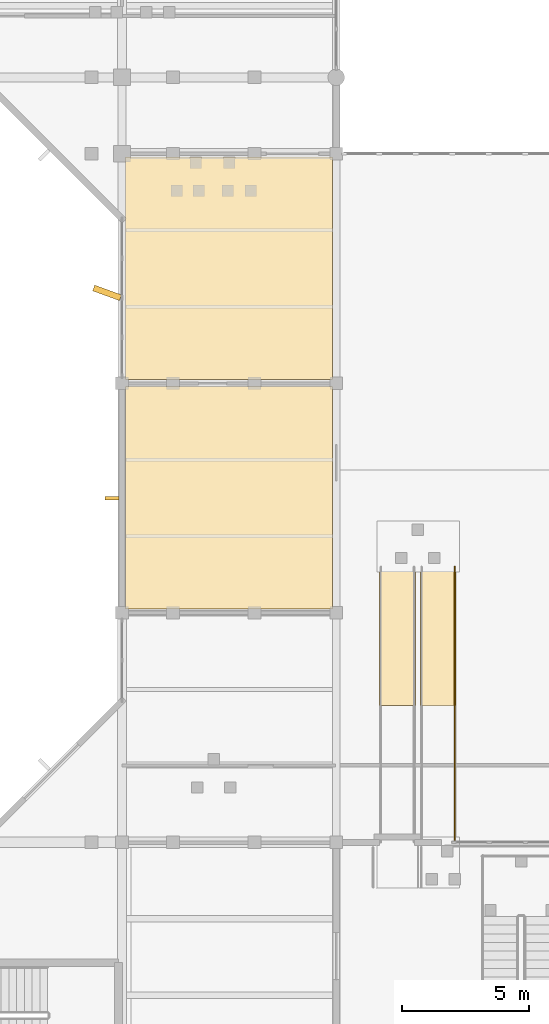
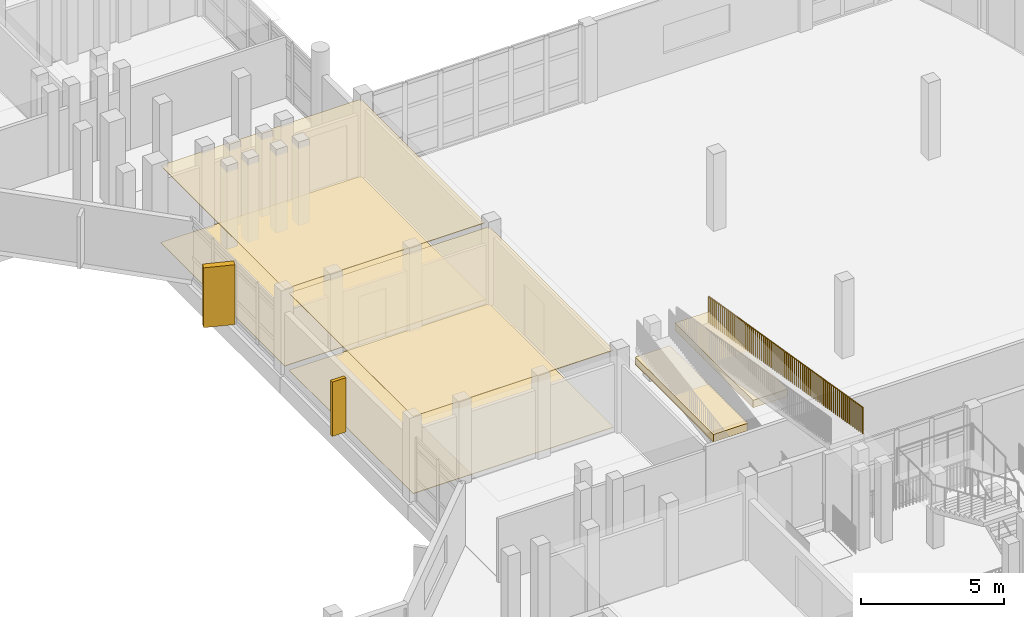
# One storey, part 90 of 104: 7 coverings, 1 railing, 1 shading device.
"""IFC4 building model written with IfcOpenShell, lengths in metres."""

from ifc_helpers import new_model, si_unit, direction, frame, origin, origin_2d, place, context, subcontext, project, spatial, polyline, rectangle, circle, outline, extrude, material, layer, layer_set, type_object, element, save


model = new_model("IFC4")

# Units and contexts
model_context = context("Model", 3, precision=1e-05, world=origin(), true_north=direction((0.0, 1.0)))
body_context = subcontext(model_context, "Body", "Model", "MODEL_VIEW")
ifc_project = project(units=[si_unit("LENGTHUNIT", "METRE"), si_unit("AREAUNIT", "SQUARE_METRE"), si_unit("VOLUMEUNIT", "CUBIC_METRE"), si_unit("PLANEANGLEUNIT", "RADIAN"), si_unit("MASSUNIT", "GRAM", prefix="KILO")], contexts=[model_context])

# Site, building, storey
site_placement = place(None, origin())
site = spatial("IfcSite", under=ifc_project, at=site_placement, CompositionType="ELEMENT")
building_placement = place(site_placement, origin())
building = spatial("IfcBuilding", under=site, at=building_placement, Name="Vanh Quang Courtyard School", CompositionType="ELEMENT")
storey_placement = place(building_placement, frame((0.0, 0.0, 4.199951171875)))
storey = spatial("IfcBuildingStorey", under=building, at=storey_placement, Name="L01", CompositionType="ELEMENT", Elevation=4.199951171875)

# Coverings
ifc_material_1 = material(Name="Perforated mineral-fibre acoustic ceiling board")
ifc_layer_1 = layer(ifc_material_1, 0.02490234375)
ifc_layer_set_1 = layer_set([ifc_layer_1], Name="Perforated mineral-fibre acoustic ceiling board")
covering_type_1 = type_object("IfcCoveringType", Name="COV-CEIL-ACOUSTIC", PredefinedType="CEILING", material=ifc_layer_set_1)
covering_1_placement = place(storey_placement, frame((0.0, 0.0, 3.295166015625)))
element("IfcCovering", 1, at=covering_1_placement, inside=storey, type_object=covering_type_1, Name="Covering CV-CL1 (L01)", PredefinedType="CEILING", context=body_context, shape_type="SweptSolid", body=[
    extrude(outline(polyline([(111.139892578125, 50.550048828125), (111.138916015625, 50.550048828125), (111.137939453125, 50.55029296875), (111.13720703125, 50.55029296875), (111.13623046875, 50.55078125), (111.13525390625, 50.55126953125), (111.134521484375, 50.5517578125), (111.1337890625, 50.55224609375), (111.1328125, 50.552978515625), (111.13232421875, 50.5537109375), (111.131591796875, 50.554443359375), (111.131103515625, 50.555419921875), (111.130859375, 50.55615234375), (111.13037109375, 50.55712890625), (111.130126953125, 50.55810546875), (111.1298828125, 50.55908203125), (111.1298828125, 50.56005859375), (111.1298828125, 59.260009765625), (111.1298828125, 59.260986328125), (111.130126953125, 59.261962890625), (111.13037109375, 59.262939453125), (111.130859375, 59.263916015625), (111.131103515625, 59.2646484375), (111.131591796875, 59.265625), (111.13232421875, 59.266357421875), (111.1328125, 59.26708984375), (111.1337890625, 59.267578125), (111.134521484375, 59.268310546875), (111.13525390625, 59.268798828125), (111.13623046875, 59.269287109375), (111.13720703125, 59.26953125), (111.137939453125, 59.269775390625), (111.138916015625, 59.27001953125), (111.139892578125, 59.27001953125), (119.239990234375, 59.27001953125), (119.240966796875, 59.27001953125), (119.241943359375, 59.269775390625), (119.242919921875, 59.26953125), (119.243896484375, 59.269287109375), (119.24462890625, 59.268798828125), (119.24560546875, 59.268310546875), (119.246337890625, 59.267578125), (119.2470703125, 59.26708984375), (119.247802734375, 59.266357421875), (119.248291015625, 59.265625), (119.248779296875, 59.2646484375), (119.249267578125, 59.263916015625), (119.24951171875, 59.262939453125), (119.249755859375, 59.261962890625), (119.25, 59.260986328125), (119.25, 59.260009765625), (119.25, 50.56005859375), (119.25, 50.55908203125), (119.249755859375, 50.55810546875), (119.24951171875, 50.55712890625), (119.249267578125, 50.55615234375), (119.248779296875, 50.555419921875), (119.248291015625, 50.554443359375), (119.247802734375, 50.5537109375), (119.2470703125, 50.552978515625), (119.246337890625, 50.55224609375), (119.24560546875, 50.5517578125), (119.24462890625, 50.55126953125), (119.243896484375, 50.55078125), (119.242919921875, 50.55029296875), (119.241943359375, 50.55029296875), (119.240966796875, 50.550048828125), (119.239990234375, 50.550048828125), (111.139892578125, 50.550048828125)])), origin(), (0.0, 0.0, 1.0), 0.02490234375),
])
covering_2_placement = place(storey_placement, frame((0.0, 0.0, 3.295166015625)))
element("IfcCovering", 2, at=covering_2_placement, inside=storey, type_object=covering_type_1, Name="Covering CV-CL1 (L01)", PredefinedType="CEILING", context=body_context, shape_type="SweptSolid", body=[
    extrude(outline(polyline([(111.139892578125, 59.550048828125), (111.138916015625, 59.550048828125), (111.137939453125, 59.55029296875), (111.13720703125, 59.55029296875), (111.13623046875, 59.55078125), (111.13525390625, 59.55126953125), (111.134521484375, 59.5517578125), (111.1337890625, 59.55224609375), (111.1328125, 59.552978515625), (111.13232421875, 59.5537109375), (111.131591796875, 59.554443359375), (111.131103515625, 59.555419921875), (111.130859375, 59.55615234375), (111.13037109375, 59.55712890625), (111.130126953125, 59.55810546875), (111.1298828125, 59.55908203125), (111.1298828125, 59.56005859375), (111.1298828125, 68.260009765625), (111.1298828125, 68.260986328125), (111.130126953125, 68.261962890625), (111.13037109375, 68.262939453125), (111.130859375, 68.263916015625), (111.131103515625, 68.2646484375), (111.131591796875, 68.265625), (111.13232421875, 68.266357421875), (111.1328125, 68.26708984375), (111.1337890625, 68.267578125), (111.134521484375, 68.268310546875), (111.13525390625, 68.268798828125), (111.13623046875, 68.269287109375), (111.13720703125, 68.26953125), (111.137939453125, 68.269775390625), (111.138916015625, 68.27001953125), (111.139892578125, 68.27001953125), (119.239990234375, 68.27001953125), (119.240966796875, 68.27001953125), (119.241943359375, 68.269775390625), (119.242919921875, 68.26953125), (119.243896484375, 68.269287109375), (119.24462890625, 68.268798828125), (119.24560546875, 68.268310546875), (119.246337890625, 68.267578125), (119.2470703125, 68.26708984375), (119.247802734375, 68.266357421875), (119.248291015625, 68.265625), (119.248779296875, 68.2646484375), (119.249267578125, 68.263916015625), (119.24951171875, 68.262939453125), (119.249755859375, 68.261962890625), (119.25, 68.260986328125), (119.25, 68.260009765625), (119.25, 59.56005859375), (119.25, 59.55908203125), (119.249755859375, 59.55810546875), (119.24951171875, 59.55712890625), (119.249267578125, 59.55615234375), (119.248779296875, 59.555419921875), (119.248291015625, 59.554443359375), (119.247802734375, 59.5537109375), (119.2470703125, 59.552978515625), (119.246337890625, 59.55224609375), (119.24560546875, 59.5517578125), (119.24462890625, 59.55126953125), (119.243896484375, 59.55078125), (119.242919921875, 59.55029296875), (119.241943359375, 59.55029296875), (119.240966796875, 59.550048828125), (119.239990234375, 59.550048828125), (111.139892578125, 59.550048828125)])), origin(), (0.0, 0.0, 1.0), 0.02490234375),
])
ifc_material_2 = material(Name="Polished cementitious terrazzo tile", Category="concrete")
ifc_layer_2 = layer(ifc_material_2, 0.02001953125)
ifc_layer_set_2 = layer_set([ifc_layer_2], Name="Polished cementitious terrazzo tile")
covering_type_2 = type_object("IfcCoveringType", Name="COV-FLR-TERRAZZO", PredefinedType="FLOORING", material=ifc_layer_set_2)
covering_3_placement = place(storey_placement, origin())
element("IfcCovering", 3, at=covering_3_placement, inside=storey, type_object=covering_type_2, Name="Covering CV-FL1 (L01)", PredefinedType="FLOORING", context=body_context, shape_type="SweptSolid", body=[
    extrude(outline(polyline([(111.139892578125, 50.550048828125), (111.138916015625, 50.550048828125), (111.137939453125, 50.55029296875), (111.13720703125, 50.55029296875), (111.13623046875, 50.55078125), (111.13525390625, 50.55126953125), (111.134521484375, 50.5517578125), (111.1337890625, 50.55224609375), (111.1328125, 50.552978515625), (111.13232421875, 50.5537109375), (111.131591796875, 50.554443359375), (111.131103515625, 50.555419921875), (111.130859375, 50.55615234375), (111.13037109375, 50.55712890625), (111.130126953125, 50.55810546875), (111.1298828125, 50.55908203125), (111.1298828125, 50.56005859375), (111.1298828125, 59.260009765625), (111.1298828125, 59.260986328125), (111.130126953125, 59.261962890625), (111.13037109375, 59.262939453125), (111.130859375, 59.263916015625), (111.131103515625, 59.2646484375), (111.131591796875, 59.265625), (111.13232421875, 59.266357421875), (111.1328125, 59.26708984375), (111.1337890625, 59.267578125), (111.134521484375, 59.268310546875), (111.13525390625, 59.268798828125), (111.13623046875, 59.269287109375), (111.13720703125, 59.26953125), (111.137939453125, 59.269775390625), (111.138916015625, 59.27001953125), (111.139892578125, 59.27001953125), (119.239990234375, 59.27001953125), (119.240966796875, 59.27001953125), (119.241943359375, 59.269775390625), (119.242919921875, 59.26953125), (119.243896484375, 59.269287109375), (119.24462890625, 59.268798828125), (119.24560546875, 59.268310546875), (119.246337890625, 59.267578125), (119.2470703125, 59.26708984375), (119.247802734375, 59.266357421875), (119.248291015625, 59.265625), (119.248779296875, 59.2646484375), (119.249267578125, 59.263916015625), (119.24951171875, 59.262939453125), (119.249755859375, 59.261962890625), (119.25, 59.260986328125), (119.25, 59.260009765625), (119.25, 50.56005859375), (119.25, 50.55908203125), (119.249755859375, 50.55810546875), (119.24951171875, 50.55712890625), (119.249267578125, 50.55615234375), (119.248779296875, 50.555419921875), (119.248291015625, 50.554443359375), (119.247802734375, 50.5537109375), (119.2470703125, 50.552978515625), (119.246337890625, 50.55224609375), (119.24560546875, 50.5517578125), (119.24462890625, 50.55126953125), (119.243896484375, 50.55078125), (119.242919921875, 50.55029296875), (119.241943359375, 50.55029296875), (119.240966796875, 50.550048828125), (119.239990234375, 50.550048828125), (111.139892578125, 50.550048828125)])), origin(), (0.0, 0.0, 1.0), 0.02001953125),
])
covering_4_placement = place(storey_placement, origin())
element("IfcCovering", 4, at=covering_4_placement, inside=storey, type_object=covering_type_2, Name="Covering CV-FL1 (L01)", PredefinedType="FLOORING", context=body_context, shape_type="SweptSolid", body=[
    extrude(outline(polyline([(111.139892578125, 59.550048828125), (111.138916015625, 59.550048828125), (111.137939453125, 59.55029296875), (111.13720703125, 59.55029296875), (111.13623046875, 59.55078125), (111.13525390625, 59.55126953125), (111.134521484375, 59.5517578125), (111.1337890625, 59.55224609375), (111.1328125, 59.552978515625), (111.13232421875, 59.5537109375), (111.131591796875, 59.554443359375), (111.131103515625, 59.555419921875), (111.130859375, 59.55615234375), (111.13037109375, 59.55712890625), (111.130126953125, 59.55810546875), (111.1298828125, 59.55908203125), (111.1298828125, 59.56005859375), (111.1298828125, 68.260009765625), (111.1298828125, 68.260986328125), (111.130126953125, 68.261962890625), (111.13037109375, 68.262939453125), (111.130859375, 68.263916015625), (111.131103515625, 68.2646484375), (111.131591796875, 68.265625), (111.13232421875, 68.266357421875), (111.1328125, 68.26708984375), (111.1337890625, 68.267578125), (111.134521484375, 68.268310546875), (111.13525390625, 68.268798828125), (111.13623046875, 68.269287109375), (111.13720703125, 68.26953125), (111.137939453125, 68.269775390625), (111.138916015625, 68.27001953125), (111.139892578125, 68.27001953125), (119.239990234375, 68.27001953125), (119.240966796875, 68.27001953125), (119.241943359375, 68.269775390625), (119.242919921875, 68.26953125), (119.243896484375, 68.269287109375), (119.24462890625, 68.268798828125), (119.24560546875, 68.268310546875), (119.246337890625, 68.267578125), (119.2470703125, 68.26708984375), (119.247802734375, 68.266357421875), (119.248291015625, 68.265625), (119.248779296875, 68.2646484375), (119.249267578125, 68.263916015625), (119.24951171875, 68.262939453125), (119.249755859375, 68.261962890625), (119.25, 68.260986328125), (119.25, 68.260009765625), (119.25, 59.56005859375), (119.25, 59.55908203125), (119.249755859375, 59.55810546875), (119.24951171875, 59.55712890625), (119.249267578125, 59.55615234375), (119.248779296875, 59.555419921875), (119.248291015625, 59.554443359375), (119.247802734375, 59.5537109375), (119.2470703125, 59.552978515625), (119.246337890625, 59.55224609375), (119.24560546875, 59.5517578125), (119.24462890625, 59.55126953125), (119.243896484375, 59.55078125), (119.242919921875, 59.55029296875), (119.241943359375, 59.55029296875), (119.240966796875, 59.550048828125), (119.239990234375, 59.550048828125), (111.139892578125, 59.550048828125)])), origin(), (0.0, 0.0, 1.0), 0.02001953125),
])
ifc_material_3 = material(Name="Board-marked precast concrete C40/50", Category="concrete")
ifc_layer_3 = layer(ifc_material_3, 0.239990234375)
ifc_layer_set_3 = layer_set([ifc_layer_3], Name="Board-marked precast concrete C40/50")
covering_type_3 = type_object("IfcCoveringType", Name="COV-HOOD-CONC", PredefinedType="CLADDING", material=ifc_layer_set_3)
for number, where, z_axis, x_axis, name in (
    (5, (121.800048828125, 49.5, 1.02978515625), (0.0, 0.0, 1.0), (1.0, 0.0, 0.0), "Covering CH-01 (L01)"),
    (6, (123.39990234375, 49.5, 1.93017578125), (0.0, 0.0, 1.0), (1.0, 0.0, 0.0), "Covering CH-01 (L01)"),
):
    element("IfcCovering", number, at=place(storey_placement, frame(where, z_axis=z_axis, x_axis=x_axis)), inside=storey, type_object=covering_type_3, Name=name, PredefinedType="CLADDING", context=body_context, shape_type="SweptSolid", body=[
        extrude(rectangle(XDim=1.39990234375, YDim=5.47998046875, at=origin_2d()), origin(), (0.0, 0.0, 1.0), 0.320068359375),
    ])
covering_5_placement = place(storey_placement, frame((110.4150390625, 62.947021484375, 0.0), z_axis=(0.0, 0.0, 1.0), x_axis=(-0.94028812701, 0.340379550213, 0.0)))
element("IfcCovering", 7, at=covering_5_placement, inside=storey, type_object=covering_type_3, Name="Covering CH-01 (L01)", PredefinedType="CLADDING", context=body_context, shape_type="SweptSolid", body=[
    extrude(rectangle(XDim=1.11669921875, YDim=0.239990234375, at=origin_2d()), origin(), (0.0, 0.0, 1.0), 2.56005859375),
])

# Railing
ifc_material_4 = material(Name="Galvanised painted steel EN 10025-2 S355J2", Category="steel")
railing_type = type_object("IfcRailingType", Name="RAIL-GUARD-1150", PredefinedType="BALUSTRADE", material=ifc_material_4)
railing_placement = place(storey_placement, frame((124.050048828125, 52.199951171875, 1.800048828125)))
element("IfcRailing", 8, at=railing_placement, inside=storey, type_object=railing_type, Name="Railing GR-01 (L01)", PredefinedType="BALUSTRADE", context=body_context, shape_type="SweptSolid", body=[
    extrude(circle(Radius=0.02392578125, at=origin_2d()), frame((0.0, 0.0, 1.1259765625), z_axis=(0.0, -0.986393321179, 0.164402603184), x_axis=(1.0, 0.0, 0.0)), (0.0, 0.0, 1.0), 10.948974609375),
    extrude(circle(Radius=0.02099609375, at=origin_2d()), origin(), (0.0, 0.0, 1.0), 1.101806640625),
    extrude(circle(Radius=0.02099609375, at=origin_2d()), frame((0.0, -0.13671875, 0.022705078125)), (0.0, 0.0, 1.0), 1.101806640625),
    extrude(circle(Radius=0.02099609375, at=origin_2d()), frame((0.0, -0.2734375, 0.045654296875)), (0.0, 0.0, 1.0), 1.101806640625),
    extrude(circle(Radius=0.02099609375, at=origin_2d()), frame((0.0, -0.41015625, 0.068359375)), (0.0, 0.0, 1.0), 1.101806640625),
    extrude(circle(Radius=0.02099609375, at=origin_2d()), frame((0.0, -0.546875, 0.091064453125)), (0.0, 0.0, 1.0), 1.101806640625),
    extrude(circle(Radius=0.02099609375, at=origin_2d()), frame((0.0, -0.68359375, 0.114013671875)), (0.0, 0.0, 1.0), 1.101806640625),
    extrude(circle(Radius=0.02099609375, at=origin_2d()), frame((0.0, -0.8203125, 0.13671875)), (0.0, 0.0, 1.0), 1.101806640625),
    extrude(circle(Radius=0.02099609375, at=origin_2d()), frame((0.0, -0.95703125, 0.159423828125)), (0.0, 0.0, 1.0), 1.101806640625),
    extrude(circle(Radius=0.02099609375, at=origin_2d()), frame((0.0, -1.09375, 0.182373046875)), (0.0, 0.0, 1.0), 1.101806640625),
    extrude(circle(Radius=0.02099609375, at=origin_2d()), frame((0.0, -1.23046875, 0.205078125)), (0.0, 0.0, 1.0), 1.101806640625),
    extrude(circle(Radius=0.02099609375, at=origin_2d()), frame((0.0, -1.3671875, 0.227783203125)), (0.0, 0.0, 1.0), 1.101806640625),
    extrude(circle(Radius=0.02099609375, at=origin_2d()), frame((0.0, -1.50390625, 0.250732421875)), (0.0, 0.0, 1.0), 1.101806640625),
    extrude(circle(Radius=0.02099609375, at=origin_2d()), frame((0.0, -1.640625, 0.2734375)), (0.0, 0.0, 1.0), 1.101806640625),
    extrude(circle(Radius=0.02099609375, at=origin_2d()), frame((0.0, -1.77734375, 0.296142578125)), (0.0, 0.0, 1.0), 1.101806640625),
    extrude(circle(Radius=0.02099609375, at=origin_2d()), frame((0.0, -1.913818359375, 0.319091796875)), (0.0, 0.0, 1.0), 1.101806640625),
    extrude(circle(Radius=0.02099609375, at=origin_2d()), frame((0.0, -2.050537109375, 0.341796875)), (0.0, 0.0, 1.0), 1.101806640625),
    extrude(circle(Radius=0.02099609375, at=origin_2d()), frame((0.0, -2.187255859375, 0.364501953125)), (0.0, 0.0, 1.0), 1.101806640625),
    extrude(circle(Radius=0.02099609375, at=origin_2d()), frame((0.0, -2.323974609375, 0.387451171875)), (0.0, 0.0, 1.0), 1.101806640625),
    extrude(circle(Radius=0.02099609375, at=origin_2d()), frame((0.0, -2.460693359375, 0.41015625)), (0.0, 0.0, 1.0), 1.101806640625),
    extrude(circle(Radius=0.02099609375, at=origin_2d()), frame((0.0, -2.597412109375, 0.432861328125)), (0.0, 0.0, 1.0), 1.101806640625),
    extrude(circle(Radius=0.02099609375, at=origin_2d()), frame((0.0, -2.734130859375, 0.455810546875)), (0.0, 0.0, 1.0), 1.101806640625),
    extrude(circle(Radius=0.02099609375, at=origin_2d()), frame((0.0, -2.870849609375, 0.478515625)), (0.0, 0.0, 1.0), 1.101806640625),
    extrude(circle(Radius=0.02099609375, at=origin_2d()), frame((0.0, -3.007568359375, 0.501220703125)), (0.0, 0.0, 1.0), 1.101806640625),
    extrude(circle(Radius=0.02099609375, at=origin_2d()), frame((0.0, -3.144287109375, 0.524169921875)), (0.0, 0.0, 1.0), 1.101806640625),
    extrude(circle(Radius=0.02099609375, at=origin_2d()), frame((0.0, -3.281005859375, 0.546875)), (0.0, 0.0, 1.0), 1.101806640625),
    extrude(circle(Radius=0.02099609375, at=origin_2d()), frame((0.0, -3.417724609375, 0.569580078125)), (0.0, 0.0, 1.0), 1.101806640625),
    extrude(circle(Radius=0.02099609375, at=origin_2d()), frame((0.0, -3.554443359375, 0.592529296875)), (0.0, 0.0, 1.0), 1.101806640625),
    extrude(circle(Radius=0.02099609375, at=origin_2d()), frame((0.0, -3.691162109375, 0.615234375)), (0.0, 0.0, 1.0), 1.101806640625),
    extrude(circle(Radius=0.02099609375, at=origin_2d()), frame((0.0, -3.827880859375, 0.637939453125)), (0.0, 0.0, 1.0), 1.101806640625),
    extrude(circle(Radius=0.02099609375, at=origin_2d()), frame((0.0, -3.964599609375, 0.660888671875)), (0.0, 0.0, 1.0), 1.101806640625),
    extrude(circle(Radius=0.02099609375, at=origin_2d()), frame((0.0, -4.101318359375, 0.68359375)), (0.0, 0.0, 1.0), 1.101806640625),
    extrude(circle(Radius=0.02099609375, at=origin_2d()), frame((0.0, -4.238037109375, 0.706298828125)), (0.0, 0.0, 1.0), 1.101806640625),
    extrude(circle(Radius=0.02099609375, at=origin_2d()), frame((0.0, -4.374755859375, 0.729248046875)), (0.0, 0.0, 1.0), 1.101806640625),
    extrude(circle(Radius=0.02099609375, at=origin_2d()), frame((0.0, -4.511474609375, 0.751953125)), (0.0, 0.0, 1.0), 1.101806640625),
    extrude(circle(Radius=0.02099609375, at=origin_2d()), frame((0.0, -4.648193359375, 0.774658203125)), (0.0, 0.0, 1.0), 1.101806640625),
    extrude(circle(Radius=0.02099609375, at=origin_2d()), frame((0.0, -4.784912109375, 0.797607421875)), (0.0, 0.0, 1.0), 1.101806640625),
    extrude(circle(Radius=0.02099609375, at=origin_2d()), frame((0.0, -4.921630859375, 0.8203125)), (0.0, 0.0, 1.0), 1.101806640625),
    extrude(circle(Radius=0.02099609375, at=origin_2d()), frame((0.0, -5.058349609375, 0.843017578125)), (0.0, 0.0, 1.0), 1.101806640625),
    extrude(circle(Radius=0.02099609375, at=origin_2d()), frame((0.0, -5.195068359375, 0.865966796875)), (0.0, 0.0, 1.0), 1.101806640625),
    extrude(circle(Radius=0.02099609375, at=origin_2d()), frame((0.0, -5.331787109375, 0.888671875)), (0.0, 0.0, 1.0), 1.101806640625),
    extrude(circle(Radius=0.02099609375, at=origin_2d()), frame((0.0, -5.46826171875, 0.911376953125)), (0.0, 0.0, 1.0), 1.101806640625),
    extrude(circle(Radius=0.02099609375, at=origin_2d()), frame((0.0, -5.60498046875, 0.93408203125)), (0.0, 0.0, 1.0), 1.101806640625),
    extrude(circle(Radius=0.02099609375, at=origin_2d()), frame((0.0, -5.74169921875, 0.95703125)), (0.0, 0.0, 1.0), 1.101806640625),
    extrude(circle(Radius=0.02099609375, at=origin_2d()), frame((0.0, -5.87841796875, 0.979736328125)), (0.0, 0.0, 1.0), 1.101806640625),
    extrude(circle(Radius=0.02099609375, at=origin_2d()), frame((0.0, -6.01513671875, 1.00244140625)), (0.0, 0.0, 1.0), 1.101806640625),
    extrude(circle(Radius=0.02099609375, at=origin_2d()), frame((0.0, -6.15185546875, 1.025390625)), (0.0, 0.0, 1.0), 1.101806640625),
    extrude(circle(Radius=0.02099609375, at=origin_2d()), frame((0.0, -6.28857421875, 1.048095703125)), (0.0, 0.0, 1.0), 1.101806640625),
    extrude(circle(Radius=0.02099609375, at=origin_2d()), frame((0.0, -6.42529296875, 1.07080078125)), (0.0, 0.0, 1.0), 1.101806640625),
    extrude(circle(Radius=0.02099609375, at=origin_2d()), frame((0.0, -6.56201171875, 1.09375)), (0.0, 0.0, 1.0), 1.101806640625),
    extrude(circle(Radius=0.02099609375, at=origin_2d()), frame((0.0, -6.69873046875, 1.116455078125)), (0.0, 0.0, 1.0), 1.101806640625),
    extrude(circle(Radius=0.02099609375, at=origin_2d()), frame((0.0, -6.83544921875, 1.13916015625)), (0.0, 0.0, 1.0), 1.101806640625),
    extrude(circle(Radius=0.02099609375, at=origin_2d()), frame((0.0, -6.97216796875, 1.162109375)), (0.0, 0.0, 1.0), 1.101806640625),
    extrude(circle(Radius=0.02099609375, at=origin_2d()), frame((0.0, -7.10888671875, 1.184814453125)), (0.0, 0.0, 1.0), 1.101806640625),
    extrude(circle(Radius=0.02099609375, at=origin_2d()), frame((0.0, -7.24560546875, 1.20751953125)), (0.0, 0.0, 1.0), 1.101806640625),
    extrude(circle(Radius=0.02099609375, at=origin_2d()), frame((0.0, -7.38232421875, 1.23046875)), (0.0, 0.0, 1.0), 1.101806640625),
    extrude(circle(Radius=0.02099609375, at=origin_2d()), frame((0.0, -7.51904296875, 1.253173828125)), (0.0, 0.0, 1.0), 1.101806640625),
    extrude(circle(Radius=0.02099609375, at=origin_2d()), frame((0.0, -7.65576171875, 1.27587890625)), (0.0, 0.0, 1.0), 1.101806640625),
    extrude(circle(Radius=0.02099609375, at=origin_2d()), frame((0.0, -7.79248046875, 1.298828125)), (0.0, 0.0, 1.0), 1.101806640625),
    extrude(circle(Radius=0.02099609375, at=origin_2d()), frame((0.0, -7.92919921875, 1.321533203125)), (0.0, 0.0, 1.0), 1.101806640625),
    extrude(circle(Radius=0.02099609375, at=origin_2d()), frame((0.0, -8.06591796875, 1.34423828125)), (0.0, 0.0, 1.0), 1.101806640625),
    extrude(circle(Radius=0.02099609375, at=origin_2d()), frame((0.0, -8.20263671875, 1.3671875)), (0.0, 0.0, 1.0), 1.101806640625),
    extrude(circle(Radius=0.02099609375, at=origin_2d()), frame((0.0, -8.33935546875, 1.389892578125)), (0.0, 0.0, 1.0), 1.101806640625),
    extrude(circle(Radius=0.02099609375, at=origin_2d()), frame((0.0, -8.47607421875, 1.41259765625)), (0.0, 0.0, 1.0), 1.101806640625),
    extrude(circle(Radius=0.02099609375, at=origin_2d()), frame((0.0, -8.61279296875, 1.435546875)), (0.0, 0.0, 1.0), 1.101806640625),
    extrude(circle(Radius=0.02099609375, at=origin_2d()), frame((0.0, -8.74951171875, 1.458251953125)), (0.0, 0.0, 1.0), 1.101806640625),
    extrude(circle(Radius=0.02099609375, at=origin_2d()), frame((0.0, -8.88623046875, 1.48095703125)), (0.0, 0.0, 1.0), 1.101806640625),
    extrude(circle(Radius=0.02099609375, at=origin_2d()), frame((0.0, -9.022705078125, 1.50390625)), (0.0, 0.0, 1.0), 1.101806640625),
    extrude(circle(Radius=0.02099609375, at=origin_2d()), frame((0.0, -9.159423828125, 1.526611328125)), (0.0, 0.0, 1.0), 1.101806640625),
    extrude(circle(Radius=0.02099609375, at=origin_2d()), frame((0.0, -9.296142578125, 1.54931640625)), (0.0, 0.0, 1.0), 1.101806640625),
    extrude(circle(Radius=0.02099609375, at=origin_2d()), frame((0.0, -9.432861328125, 1.572265625)), (0.0, 0.0, 1.0), 1.101806640625),
    extrude(circle(Radius=0.02099609375, at=origin_2d()), frame((0.0, -9.569580078125, 1.594970703125)), (0.0, 0.0, 1.0), 1.101806640625),
    extrude(circle(Radius=0.02099609375, at=origin_2d()), frame((0.0, -9.706298828125, 1.61767578125)), (0.0, 0.0, 1.0), 1.101806640625),
    extrude(circle(Radius=0.02099609375, at=origin_2d()), frame((0.0, -9.843017578125, 1.640625)), (0.0, 0.0, 1.0), 1.101806640625),
    extrude(circle(Radius=0.02099609375, at=origin_2d()), frame((0.0, -9.979736328125, 1.663330078125)), (0.0, 0.0, 1.0), 1.101806640625),
    extrude(circle(Radius=0.02099609375, at=origin_2d()), frame((0.0, -10.116455078125, 1.68603515625)), (0.0, 0.0, 1.0), 1.101806640625),
    extrude(circle(Radius=0.02099609375, at=origin_2d()), frame((0.0, -10.253173828125, 1.708984375)), (0.0, 0.0, 1.0), 1.101806640625),
    extrude(circle(Radius=0.02099609375, at=origin_2d()), frame((0.0, -10.389892578125, 1.731689453125)), (0.0, 0.0, 1.0), 1.101806640625),
    extrude(circle(Radius=0.02099609375, at=origin_2d()), frame((0.0, -10.526611328125, 1.75439453125)), (0.0, 0.0, 1.0), 1.101806640625),
    extrude(circle(Radius=0.02099609375, at=origin_2d()), frame((0.0, -10.663330078125, 1.77734375)), (0.0, 0.0, 1.0), 1.101806640625),
    extrude(circle(Radius=0.02099609375, at=origin_2d()), frame((0.0, -10.800048828125, 1.800048828125)), (0.0, 0.0, 1.0), 1.101806640625),
])

# Shading device
shading_device_type = type_object("IfcShadingDeviceType", Name="SHD-FIN-CONCRETE", PredefinedType="USERDEFINED", material=ifc_material_3)
shading_device_placement = place(storey_placement, frame((110.60498046875, 54.89990234375, 0.14990234375), z_axis=(0.0, 0.0, 1.0), x_axis=(0.0, 1.0, 0.0)))
element("IfcShadingDevice", 9, at=shading_device_placement, inside=storey, type_object=shading_device_type, Name="Solar Shading SH-02 (L01)", ObjectType="Solar Shading SH-02 (L01)", PredefinedType="USERDEFINED", context=body_context, shape_type="SweptSolid", body=[
    extrude(rectangle(XDim=0.139892578125, YDim=0.550048828125, at=origin_2d()), origin(), (0.0, 0.0, 1.0), 2.320068359375),
])

save(model, "model.ifc")
